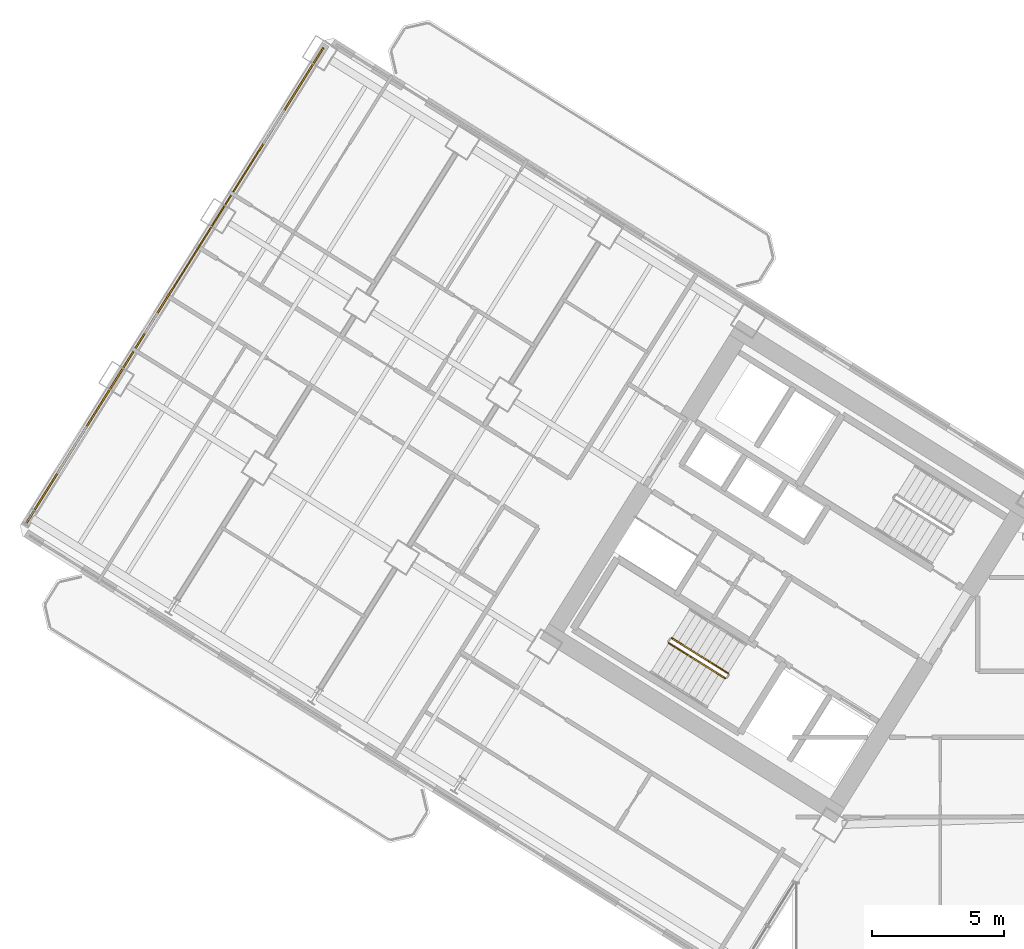
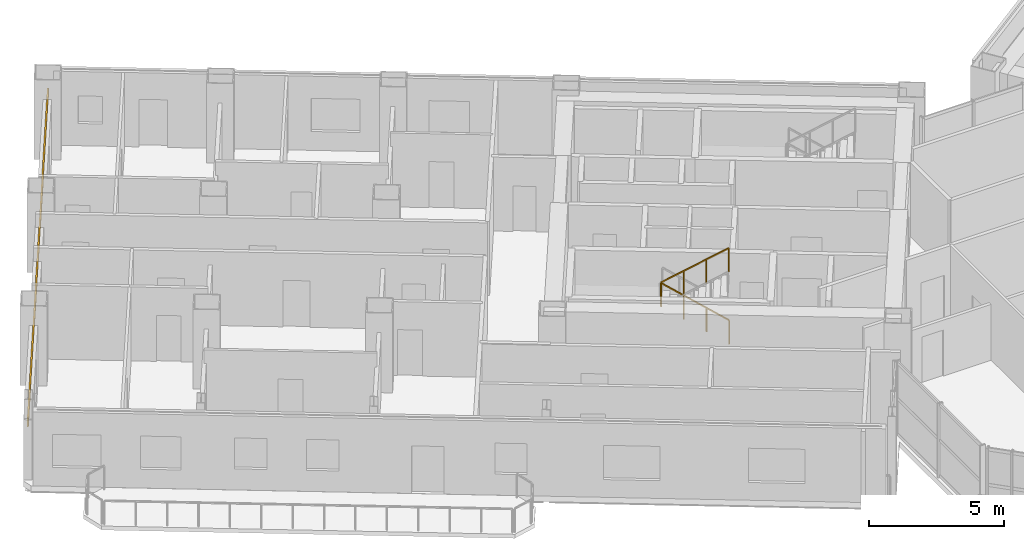
# One storey, part 23 of 28: 2 railings, 1 covering.
"""IFC4 building model written with IfcOpenShell, lengths in metres."""

from ifc_helpers import new_model, si_unit, direction, frame, origin, origin_2d, place, context, subcontext, project, spatial, rectangle, extrude, source, transform, mapped, material, layer, layer_set, type_object, element, save


model = new_model("IFC4")

# Units and contexts
model_context = context("Model", 3, precision=1e-05, world=origin(), true_north=direction((0.0, 1.0)))
body_context = subcontext(model_context, "Body", "Model", "MODEL_VIEW")
ifc_project = project(units=[si_unit("LENGTHUNIT", "METRE"), si_unit("AREAUNIT", "SQUARE_METRE"), si_unit("VOLUMEUNIT", "CUBIC_METRE"), si_unit("PLANEANGLEUNIT", "RADIAN"), si_unit("MASSUNIT", "GRAM", prefix="KILO")], contexts=[model_context])

# Site, building, storey
site_placement = place(None, origin())
site = spatial("IfcSite", under=ifc_project, at=site_placement, CompositionType="ELEMENT")
building_placement = place(site_placement, origin())
building = spatial("IfcBuilding", under=site, at=building_placement, Name="Tlacorven Tower", CompositionType="ELEMENT")
storey_placement = place(building_placement, frame((0.0, 0.0, 49.199951171875)))
storey = spatial("IfcBuildingStorey", under=building, at=storey_placement, Name="L12", CompositionType="ELEMENT", Elevation=49.199951171875)

# Covering
ifc_material_1 = material(Name="Precast concrete C45/55", Category="concrete")
ifc_layer = layer(ifc_material_1, 0.06005859375)
ifc_layer_set = layer_set([ifc_layer], Name="Precast concrete C45/55")
covering_type = type_object("IfcCoveringType", Name="CV-CLD-TERC", PredefinedType="CLADDING", material=ifc_layer_set)
shared_shape_1 = source(origin(), body_context, "Body", "SweptSolid", [
    extrude(rectangle(XDim=21.287353515625, YDim=0.06005859375, at=origin_2d()), origin(), (0.0, 0.0, 1.0), 0.419921875),
])
covering_placement = place(storey_placement, frame((8.13427734375, 32.606201171875, 2.30517578125), z_axis=(0.0, 0.0, 1.0), x_axis=(0.529918940959, 0.84804829816, 0.0)))
element("IfcCovering", 1, at=covering_placement, inside=storey, type_object=covering_type, Name="L12 Masonry-Frame Spandrel Cladding 2", PredefinedType="CLADDING", context=body_context, shape_type="MappedRepresentation", body=[
    mapped(shared_shape_1, transform((0.0, 0.0, 0.0), scale=1.0)),
])

# Railings
ifc_material_2 = material(Name="Aluminium and painted steel balustrade", Category="steel")
railing_type = type_object("IfcRailingType", Name="RL-GRD-1100", PredefinedType="GUARDRAIL", material=ifc_material_2)
shared_shape_2 = source(origin(), body_context, "Body", "SweptSolid", [
    extrude(rectangle(XDim=0.048095703125, YDim=0.048095703125, at=origin_2d()), frame((0.0, 0.0, 1.076171875), z_axis=(-0.713319727316, 0.445773895627, 0.540796265334), x_axis=(-0.529955395941, -0.84802551749, 0.0)), (0.0, 0.0, 1.0), 2.995849609375),
    extrude(rectangle(XDim=0.0419921875, YDim=0.0419921875, at=origin_2d()), origin(), (0.0, 0.0, 1.0), 1.052001953125),
    extrude(rectangle(XDim=0.0419921875, YDim=0.0419921875, at=origin_2d()), frame((-0.71240234375, 0.445068359375, 0.5400390625)), (0.0, 0.0, 1.0), 1.052001953125),
    extrude(rectangle(XDim=0.0419921875, YDim=0.0419921875, at=origin_2d()), frame((-1.424560546875, 0.890380859375, 1.080078125)), (0.0, 0.0, 1.0), 1.052001953125),
    extrude(rectangle(XDim=0.0419921875, YDim=0.0419921875, at=origin_2d()), frame((-2.136962890625, 1.33544921875, 1.6201171875)), (0.0, 0.0, 1.0), 1.052001953125),
])
railing_1_placement = place(storey_placement, frame((29.16064453125, 17.851806640625, 0.179931640625)))
element("IfcRailing", 2, at=railing_1_placement, inside=storey, type_object=railing_type, Name="L12 ST-W1 stair guard 1", PredefinedType="GUARDRAIL", context=body_context, shape_type="MappedRepresentation", body=[
    mapped(shared_shape_2, transform((0.0, 0.0, 0.0), scale=1.0)),
])
shared_shape_3 = source(origin(), body_context, "Body", "SweptSolid", [
    extrude(rectangle(XDim=0.048095703125, YDim=0.048095703125, at=origin_2d()), frame((0.0, 0.0, 1.076171875), z_axis=(0.713359751793, -0.4457479829, 0.540764828981), x_axis=(0.529911857636, 0.848052724267, 0.0)), (0.0, 0.0, 1.0), 2.99609375),
    extrude(rectangle(XDim=0.0419921875, YDim=0.0419921875, at=origin_2d()), origin(), (0.0, 0.0, 1.0), 1.052001953125),
    extrude(rectangle(XDim=0.0419921875, YDim=0.0419921875, at=origin_2d()), frame((0.71240234375, -0.445068359375, 0.5400390625)), (0.0, 0.0, 1.0), 1.052001953125),
    extrude(rectangle(XDim=0.0419921875, YDim=0.0419921875, at=origin_2d()), frame((1.4248046875, -0.890380859375, 1.080078125)), (0.0, 0.0, 1.0), 1.052001953125),
    extrude(rectangle(XDim=0.0419921875, YDim=0.0419921875, at=origin_2d()), frame((2.13720703125, -1.33544921875, 1.6201171875)), (0.0, 0.0, 1.0), 1.052001953125),
])
railing_2_placement = place(storey_placement, frame((26.906982421875, 19.000732421875, 1.97998046875)))
element("IfcRailing", 3, at=railing_2_placement, inside=storey, type_object=railing_type, Name="L12 ST-W1 stair guard 3", PredefinedType="GUARDRAIL", context=body_context, shape_type="MappedRepresentation", body=[
    mapped(shared_shape_3, transform((0.0, 0.0, 0.0), scale=1.0)),
])

save(model, "model.ifc")
